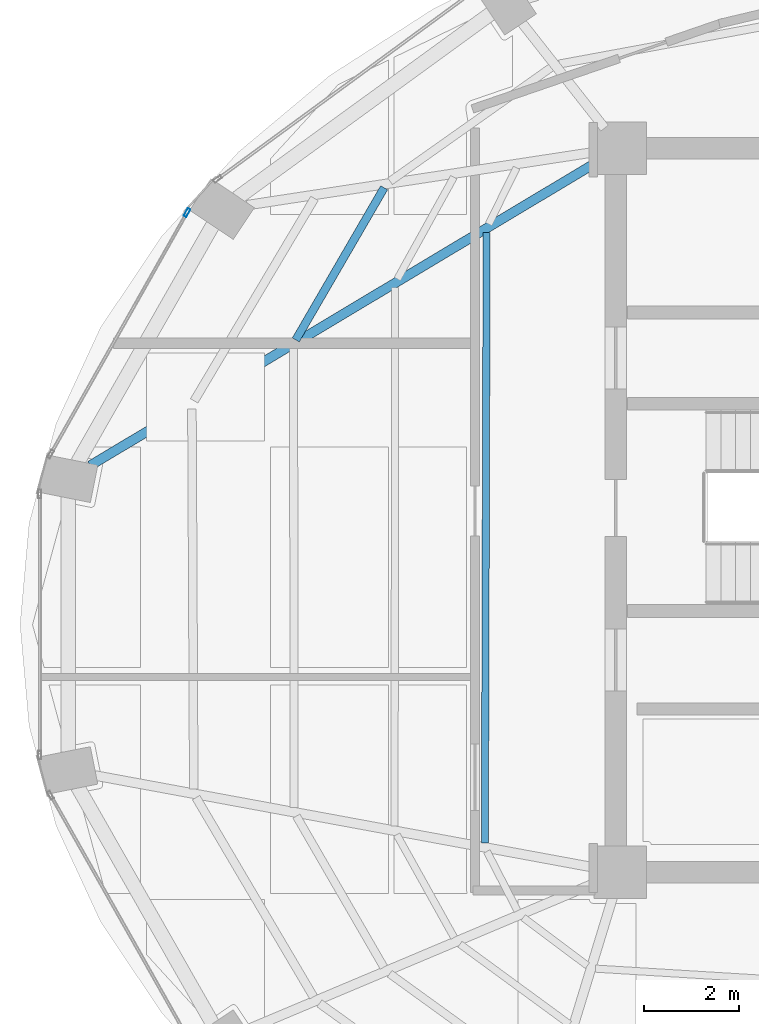
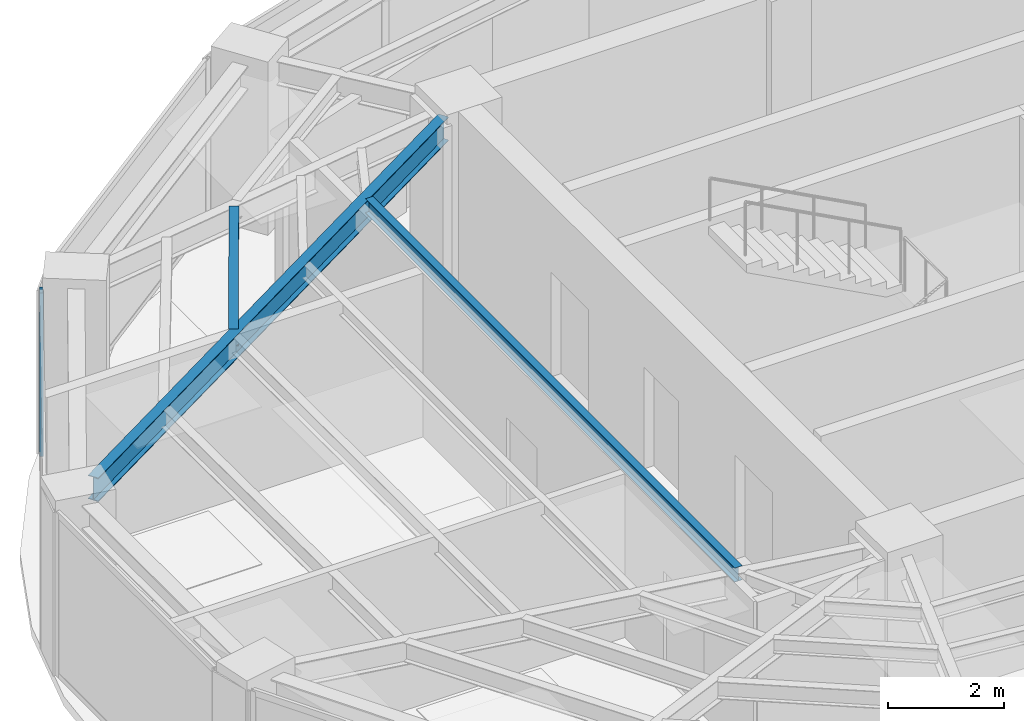
# One storey, part 9 of 22: 3 beams, 1 member, 1 element without a shape of its own.
"""IFC4 building model written with IfcOpenShell, lengths in metres."""

from ifc_helpers import new_model, si_unit, direction, frame, origin, origin_2d, place, context, subcontext, project, spatial, hollow_rectangle, i_section, extrude, material, layer, layer_set, material_profile, profile_set, type_object, element, aggregate, save


model = new_model("IFC4")

# Units and contexts
model_context = context("Model", 3, precision=1e-05, world=origin(), true_north=direction((0.0, 1.0)))
body_context = subcontext(model_context, "Body", "Model", "MODEL_VIEW")
ifc_project = project(units=[si_unit("LENGTHUNIT", "METRE"), si_unit("AREAUNIT", "SQUARE_METRE"), si_unit("VOLUMEUNIT", "CUBIC_METRE"), si_unit("PLANEANGLEUNIT", "RADIAN"), si_unit("MASSUNIT", "GRAM", prefix="KILO")], contexts=[model_context])

# Site, building, storey
site_placement = place(None, origin())
site = spatial("IfcSite", under=ifc_project, at=site_placement, CompositionType="ELEMENT")
building_placement = place(site_placement, origin())
building = spatial("IfcBuilding", under=site, at=building_placement, Name="Lazwardi Medical Tower", CompositionType="ELEMENT")
storey_placement = place(building_placement, frame((0.0, 0.0, 238.60791015625)))
storey = spatial("IfcBuildingStorey", under=building, at=storey_placement, Name="L62", CompositionType="ELEMENT", Elevation=238.60791015625)

# Beams
ifc_material_1 = material(Name="Steel S355", Category="steel")
ifc_material_profile_1 = material_profile(ifc_material_1, i_section(OverallWidth=0.199951171875, OverallDepth=0.5, WebThickness=0.01025390625, FlangeThickness=0.01611328125, at=origin_2d()), Name="IPE 500")
ifc_profile_set_1 = profile_set([ifc_material_profile_1], Name="Steel S355")
beam_type_1 = type_object("IfcBeamType", Name="BM-RG-W3", PredefinedType="BEAM", material=ifc_profile_set_1)
beam_1_placement = place(storey_placement, frame((15.27392578125, 28.937744140625, 3.197998046875), z_axis=(0.857944804603, 0.513741873176, 0.0), x_axis=(-0.513741873176, 0.857944804603, 0.0)))
element("IfcBeam", 1, at=beam_1_placement, inside=storey, type_object=beam_type_1, Name="Radial girder RG-04 R12 L62", PredefinedType="BEAM", context=body_context, shape_type="SweptSolid", body=[
    extrude(i_section(OverallWidth=0.199951171875, OverallDepth=0.5, WebThickness=0.01025390625, FlangeThickness=0.01611328125, at=origin_2d()), origin(), (0.0, 0.0, 1.0), 12.43310546875),
])
ifc_material_profile_2 = material_profile(ifc_material_1, i_section(OverallWidth=0.169921875, OverallDepth=0.360107421875, WebThickness=0.008056640625, FlangeThickness=0.0126953125, at=origin_2d()), Name="IPE 360")
ifc_profile_set_2 = profile_set([ifc_material_profile_2], Name="Steel S355")
beam_type_2 = type_object("IfcBeamType", Name="BM-SJ-02", PredefinedType="JOIST", material=ifc_profile_set_2)
beam_2_placement = place(storey_placement, frame((21.4423828125, 34.767578125, 3.26806640625), z_axis=(-0.50218018565, -0.864763008657, 0.0), x_axis=(0.864763008657, -0.50218018565, 0.0)))
element("IfcBeam", 2, at=beam_2_placement, inside=storey, type_object=beam_type_2, Name="Secondary joist SJ-02 R2 B11 L62", PredefinedType="JOIST", context=body_context, shape_type="SweptSolid", body=[
    extrude(i_section(OverallWidth=0.169921875, OverallDepth=0.360107421875, WebThickness=0.008056640625, FlangeThickness=0.0126953125, at=origin_2d()), origin(), (0.0, 0.0, 1.0), 3.69189453125),
])
ifc_material_profile_3 = material_profile(ifc_material_1, i_section(OverallWidth=0.14990234375, OverallDepth=0.300048828125, WebThickness=0.007080078125, FlangeThickness=0.0107421875, at=origin_2d()), Name="IPE 300")
ifc_profile_set_3 = profile_set([ifc_material_profile_3], Name="Steel S355")
beam_type_3 = type_object("IfcBeamType", Name="BM-SJ-03", PredefinedType="JOIST", material=ifc_profile_set_3)
beam_3_placement = place(storey_placement, frame((23.593994140625, 33.824951171875, 3.298095703125), z_axis=(-0.002897930673, -0.99999580099, 0.0), x_axis=(0.99999580099, -0.002897930673, 0.0)))
element("IfcBeam", 3, at=beam_3_placement, inside=storey, type_object=beam_type_3, Name="Secondary joist SJ-03 R4 B12 L62", PredefinedType="JOIST", context=body_context, shape_type="SweptSolid", body=[
    extrude(i_section(OverallWidth=0.14990234375, OverallDepth=0.300048828125, WebThickness=0.007080078125, FlangeThickness=0.0107421875, at=origin_2d()), origin(), (0.0, 0.0, 1.0), 12.805419921875),
])

# Curtain wall, member
ifc_material_2 = material(Name="Anodised bronze aluminium and solar control glazing", Category="aluminium")
ifc_layer = layer(ifc_material_2, 0.18994140625)
ifc_layer_set = layer_set([ifc_layer], Name="Anodised bronze aluminium and solar control glazing")
curtain_wall_type = type_object("IfcCurtainWallType", Name="CW-SYS-04", PredefinedType="NOTDEFINED", material=ifc_layer_set)
curtain_wall_placement = place(storey_placement, origin())
curtain_wall = element("IfcCurtainWall", 4, at=curtain_wall_placement, inside=storey, type_object=curtain_wall_type, Name="L62 Unitised bronze curtain wall CW-04", PredefinedType="NOTDEFINED")
ifc_material_3 = material(Name="Anodised bronze aluminium", Category="aluminium")
ifc_material_profile_4 = material_profile(ifc_material_3, hollow_rectangle(XDim=0.06494140625, YDim=0.179931640625, WallThickness=0.00390625, at=origin_2d()), Name="ALU-MULLION 180x65x4")
ifc_profile_set_4 = profile_set([ifc_material_profile_4], Name="Anodised bronze aluminium")
member_type = type_object("IfcMemberType", Name="CW-MUL-03", PredefinedType="MULLION", material=ifc_profile_set_4)
member_placement = place(storey_placement, frame((17.3056640625, 34.24560546875, 0.0), z_axis=(0.0, 0.0, 1.0), x_axis=(0.870651436011, -0.491900474661, 0.0)))
member = element("IfcMember", 5, at=member_placement, type_object=member_type, Name="CW-04 mullion 1", PredefinedType="MULLION", context=body_context, shape_type="SweptSolid", body=[
    extrude(hollow_rectangle(XDim=0.06494140625, YDim=0.179931640625, WallThickness=0.00390625, at=origin_2d()), origin(), (0.0, 0.0, 1.0), 3.447998046875),
])
aggregate(curtain_wall, [member])

save(model, "model.ifc")
